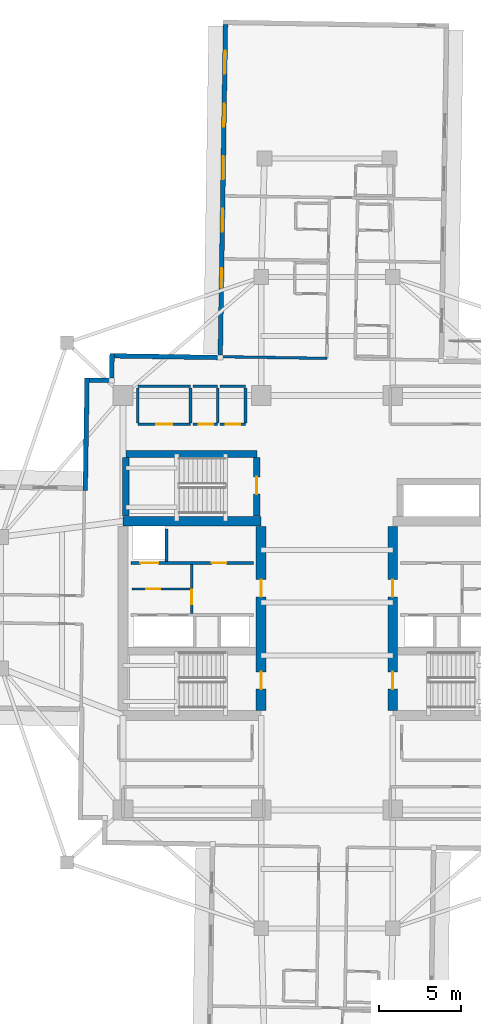
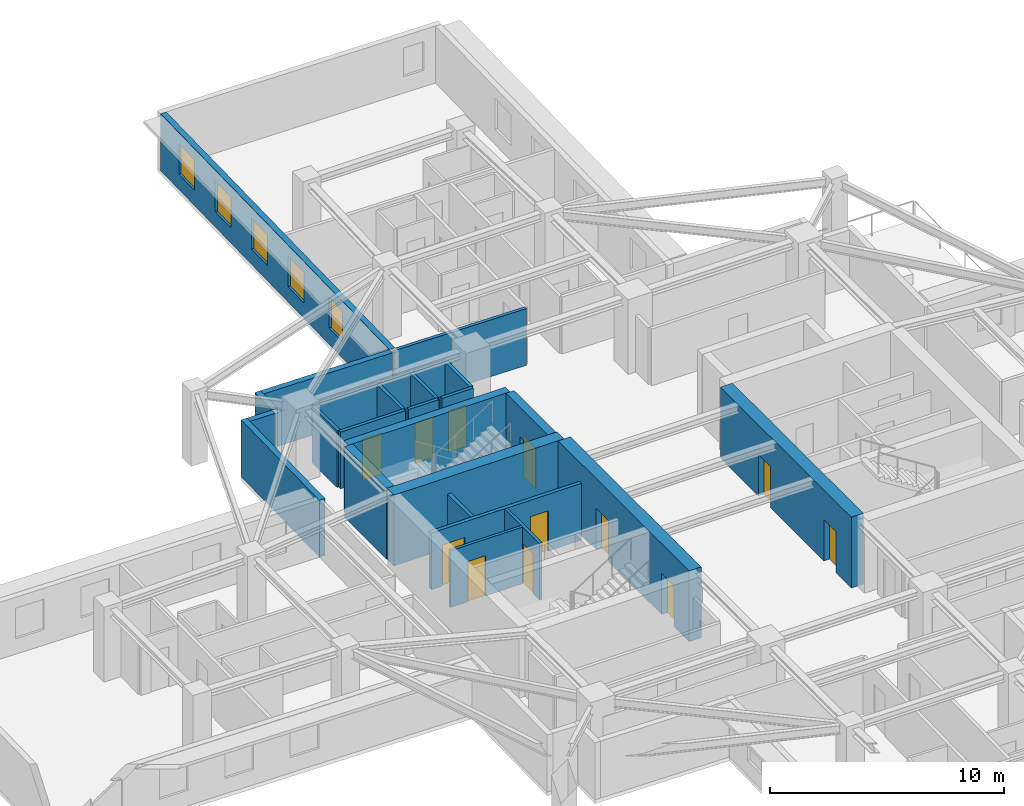
# One storey, part 5 of 13: 26 walls, 12 doors, 5 windows, 17 openings.
"""IFC4 building model written with IfcOpenShell, lengths in metres."""

from ifc_helpers import new_model, si_unit, direction, frame, frame_2d, origin, place, context, subcontext, project, spatial, rectangle, extrude, material, layer, layer_set, type_object, element, fill, save


model = new_model("IFC4")

# Units and contexts
model_context = context("Model", 3, precision=1e-05, world=origin(), true_north=direction((0.0, 1.0)))
body_context = subcontext(model_context, "Body", "Model", "MODEL_VIEW")
ifc_project = project(units=[si_unit("LENGTHUNIT", "METRE"), si_unit("AREAUNIT", "SQUARE_METRE"), si_unit("VOLUMEUNIT", "CUBIC_METRE"), si_unit("PLANEANGLEUNIT", "RADIAN"), si_unit("MASSUNIT", "GRAM", prefix="KILO")], contexts=[model_context])

# Site, building, storey
site_placement = place(None, origin())
site = spatial("IfcSite", under=ifc_project, at=site_placement, CompositionType="ELEMENT")
building_placement = place(site_placement, origin())
building = spatial("IfcBuilding", under=site, at=building_placement, Name="Qingluan Cross Belvedere", CompositionType="ELEMENT")
storey_placement = place(building_placement, frame((0.0, 0.0, 180.0)))
storey = spatial("IfcBuildingStorey", under=building, at=storey_placement, Name="L45", CompositionType="ELEMENT", Elevation=180.0)

# Walls
ifc_material_1 = material(Name="Concrete C50", Category="concrete")
ifc_layer_1 = layer(ifc_material_1, 0.449951171875, Name="CoreShearWall_450")
ifc_layer_set_1 = layer_set([ifc_layer_1], Name="Concrete C50")
wall_type_1 = type_object("IfcWallType", Name="CoreShearWall_450", PredefinedType="SHEAR", material=ifc_layer_set_1)
wall_1_placement = place(storey_placement, frame((-12.219970703125, 9.0400390625, 0.0), z_axis=(0.0, 0.0, 1.0), x_axis=(1.0, 0.0, 0.0)))
element("IfcWall", 1, at=wall_1_placement, inside=storey, type_object=wall_type_1, Name="Stair ST3 structural wall N L45", PredefinedType="SHEAR", context=body_context, shape_type="SweptSolid", body=[
    extrude(rectangle(XDim=7.9599609375, YDim=0.39990234375, at=frame_2d((3.97998046875, 0.0))), origin(), (0.0, 0.0, 1.0), 3.699951171875),
])
wall_2_placement = place(storey_placement, frame((-12.219970703125, 5.2548828125, 0.0), z_axis=(0.0, 0.0, 1.0), x_axis=(0.0, 1.0, 0.0)))
element("IfcWall", 2, at=wall_2_placement, inside=storey, type_object=wall_type_1, Name="Stair ST3 structural wall W L45", PredefinedType="SHEAR", context=body_context, shape_type="SweptSolid", body=[
    extrude(rectangle(XDim=3.580078125, YDim=0.39990234375, at=frame_2d((1.7900390625, 0.0))), origin(), (0.0, 0.0, 1.0), 3.699951171875),
])

# Wall, opening, door
wall_3_placement = place(storey_placement, frame((-4.260009765625, 5.2548828125, 0.0), z_axis=(0.0, 0.0, 1.0), x_axis=(0.0, 1.0, 0.0)))
wall_3 = element("IfcWall", 3, at=wall_3_placement, inside=storey, type_object=wall_type_1, Name="Stair ST3 structural wall E L45", PredefinedType="SHEAR", context=body_context, shape_type="SweptSolid", body=[
    extrude(rectangle(XDim=3.580078125, YDim=0.39990234375, at=frame_2d((1.7900390625, 0.0))), origin(), (0.0, 0.0, 1.0), 3.699951171875),
])
opening_1_placement = place(wall_3_placement, frame((1.344970703125, 0.0, 0.0)))
opening_1 = element("IfcOpeningElement", 4, at=opening_1_placement, cuts=wall_3, Name="Opening FD-B11", PredefinedType="OPENING", context=body_context, shape_type="SweptSolid", body=[
    extrude(rectangle(XDim=1.050048828125, YDim=2.14990234375, at=frame_2d((0.52490234375, 1.074951171875))), frame((0.0, 0.2099609375, 0.0), z_axis=(0.0, -1.0, 0.0), x_axis=(1.0, 0.0, 0.0)), (0.0, 0.0, 1.0), 0.419921875),
])
ifc_material_2 = material(Name="Steel Class B smoke-seal fire door", Category="steel")
door_type_1 = type_object("IfcDoorType", Name="StairLobbyFireDoor_FDB", OperationType="NOTDEFINED", PredefinedType="DOOR", material=ifc_material_2)
door_1_placement = place(opening_1_placement, origin())
door_1 = element("IfcDoor", 5, at=door_1_placement, inside=storey, type_object=door_type_1, Name="Smoke-proof stair ST3 fire door L45", OperationType="SINGLE_SWING_LEFT", OverallHeight=2.14990234375, OverallWidth=1.050048828125, PredefinedType="DOOR", context=body_context, shape_type="SweptSolid", body=[
    extrude(rectangle(XDim=1.050048828125, YDim=2.14990234375, at=frame_2d((0.52490234375, 1.074951171875))), frame((0.0, 0.02490234375, 0.0), z_axis=(0.0, -1.0, 0.0), x_axis=(1.0, 0.0, 0.0)), (0.0, 0.0, 1.0), 0.050048828125),
])
fill(opening_1, door_1)

# Wall
ifc_material_3 = material(Name="Concrete C60", Category="concrete")
ifc_layer_2 = layer(ifc_material_3, 0.60009765625, Name="CoreShearWall_600")
ifc_layer_set_2 = layer_set([ifc_layer_2], Name="Concrete C60")
wall_type_2 = type_object("IfcWallType", Name="CoreShearWall_600", PredefinedType="SHEAR", material=ifc_layer_set_2)
wall_4_placement = place(storey_placement, frame((-12.39990234375, 4.949951171875, 0.0), z_axis=(0.0, 0.0, 1.0), x_axis=(1.0, 0.0, 0.0)))
element("IfcWall", 6, at=wall_4_placement, inside=storey, type_object=wall_type_2, Name="Split core W shear wall L45-N", PredefinedType="SHEAR", context=body_context, shape_type="SweptSolid", body=[
    extrude(rectangle(XDim=8.39990234375, YDim=0.60009765625, at=frame_2d((4.199951171875, 0.0))), origin(), (0.0, 0.0, 1.0), 3.699951171875),
])

# Wall, openings, doors
wall_5_placement = place(storey_placement, frame((-4.0, -6.544921875, 0.0), z_axis=(0.0, 0.0, 1.0), x_axis=(0.0, 1.0, 0.0)))
wall_5 = element("IfcWall", 7, at=wall_5_placement, inside=storey, type_object=wall_type_2, Name="Split core W shear wall L45-E", PredefinedType="SHEAR", context=body_context, shape_type="SweptSolid", body=[
    extrude(rectangle(XDim=11.18994140625, YDim=0.60009765625, at=frame_2d((5.594970703125, 0.0))), origin(), (0.0, 0.0, 1.0), 3.699951171875),
])
opening_2_placement = place(wall_5_placement, frame((1.294921875, 0.0, 0.0)))
opening_2 = element("IfcOpeningElement", 8, at=opening_2_placement, cuts=wall_5, Name="Opening FD-B11", PredefinedType="OPENING", context=body_context, shape_type="SweptSolid", body=[
    extrude(rectangle(XDim=1.050048828125, YDim=2.14990234375, at=frame_2d((0.52490234375, 1.074951171875))), frame((0.0, 0.31005859375, 0.0), z_axis=(0.0, -1.0, 0.0), x_axis=(1.0, 0.0, 0.0)), (0.0, 0.0, 1.0), 0.6201171875),
])
opening_3_placement = place(wall_5_placement, frame((6.89501953125, 0.0, 0.0)))
opening_3 = element("IfcOpeningElement", 9, at=opening_3_placement, cuts=wall_5, Name="Opening FD-B11", PredefinedType="OPENING", context=body_context, shape_type="SweptSolid", body=[
    extrude(rectangle(XDim=1.050048828125, YDim=2.14990234375, at=frame_2d((0.52490234375, 1.074951171875))), frame((0.0, 0.31005859375, 0.0), z_axis=(0.0, -1.0, 0.0), x_axis=(1.0, 0.0, 0.0)), (0.0, 0.0, 1.0), 0.6201171875),
])
door_2_placement = place(opening_2_placement, origin())
door_2 = element("IfcDoor", 10, at=door_2_placement, inside=storey, type_object=door_type_1, Name="Smoke-proof stair ST1 fire door L45", OperationType="SINGLE_SWING_LEFT", OverallHeight=2.14990234375, OverallWidth=1.050048828125, PredefinedType="DOOR", context=body_context, shape_type="SweptSolid", body=[
    extrude(rectangle(XDim=1.050048828125, YDim=2.14990234375, at=frame_2d((0.52490234375, 1.074951171875))), frame((0.0, 0.02490234375, 0.0), z_axis=(0.0, -1.0, 0.0), x_axis=(1.0, 0.0, 0.0)), (0.0, 0.0, 1.0), 0.050048828125),
])
fill(opening_2, door_2)
door_3_placement = place(opening_3_placement, origin())
door_3 = element("IfcDoor", 11, at=door_3_placement, inside=storey, type_object=door_type_1, Name="Firefighting lobby West fire door L45", OperationType="SINGLE_SWING_LEFT", OverallHeight=2.14990234375, OverallWidth=1.050048828125, PredefinedType="DOOR", context=body_context, shape_type="SweptSolid", body=[
    extrude(rectangle(XDim=1.050048828125, YDim=2.14990234375, at=frame_2d((0.52490234375, 1.074951171875))), frame((0.0, 0.02490234375, 0.0), z_axis=(0.0, -1.0, 0.0), x_axis=(1.0, 0.0, 0.0)), (0.0, 0.0, 1.0), 0.050048828125),
])
fill(opening_3, door_3)

wall_6_placement = place(storey_placement, frame((4.0, -6.544921875, 0.0), z_axis=(0.0, 0.0, 1.0), x_axis=(0.0, 1.0, 0.0)))
wall_6 = element("IfcWall", 12, at=wall_6_placement, inside=storey, type_object=wall_type_2, Name="Split core E shear wall L45-W", PredefinedType="SHEAR", context=body_context, shape_type="SweptSolid", body=[
    extrude(rectangle(XDim=11.18994140625, YDim=0.60009765625, at=frame_2d((5.594970703125, 0.0))), origin(), (0.0, 0.0, 1.0), 3.699951171875),
])
opening_4_placement = place(wall_6_placement, frame((1.294921875, 0.0, 0.0)))
opening_4 = element("IfcOpeningElement", 13, at=opening_4_placement, cuts=wall_6, Name="Opening FD-B11", PredefinedType="OPENING", context=body_context, shape_type="SweptSolid", body=[
    extrude(rectangle(XDim=1.050048828125, YDim=2.14990234375, at=frame_2d((0.52490234375, 1.074951171875))), frame((0.0, 0.31005859375, 0.0), z_axis=(0.0, -1.0, 0.0), x_axis=(1.0, 0.0, 0.0)), (0.0, 0.0, 1.0), 0.6201171875),
])
opening_5_placement = place(wall_6_placement, frame((6.89501953125, 0.0, 0.0)))
opening_5 = element("IfcOpeningElement", 14, at=opening_5_placement, cuts=wall_6, Name="Opening FD-B11", PredefinedType="OPENING", context=body_context, shape_type="SweptSolid", body=[
    extrude(rectangle(XDim=1.050048828125, YDim=2.14990234375, at=frame_2d((0.52490234375, 1.074951171875))), frame((0.0, 0.31005859375, 0.0), z_axis=(0.0, -1.0, 0.0), x_axis=(1.0, 0.0, 0.0)), (0.0, 0.0, 1.0), 0.6201171875),
])
door_4_placement = place(opening_4_placement, origin())
door_4 = element("IfcDoor", 15, at=door_4_placement, inside=storey, type_object=door_type_1, Name="Smoke-proof stair ST2 fire door L45", OperationType="SINGLE_SWING_RIGHT", OverallHeight=2.14990234375, OverallWidth=1.050048828125, PredefinedType="DOOR", context=body_context, shape_type="SweptSolid", body=[
    extrude(rectangle(XDim=1.050048828125, YDim=2.14990234375, at=frame_2d((0.52490234375, 1.074951171875))), frame((0.0, 0.02490234375, 0.0), z_axis=(0.0, -1.0, 0.0), x_axis=(1.0, 0.0, 0.0)), (0.0, 0.0, 1.0), 0.050048828125),
])
fill(opening_4, door_4)
door_5_placement = place(opening_5_placement, origin())
door_5 = element("IfcDoor", 16, at=door_5_placement, inside=storey, type_object=door_type_1, Name="Firefighting lobby East fire door L45", OperationType="SINGLE_SWING_RIGHT", OverallHeight=2.14990234375, OverallWidth=1.050048828125, PredefinedType="DOOR", context=body_context, shape_type="SweptSolid", body=[
    extrude(rectangle(XDim=1.050048828125, YDim=2.14990234375, at=frame_2d((0.52490234375, 1.074951171875))), frame((0.0, 0.02490234375, 0.0), z_axis=(0.0, -1.0, 0.0), x_axis=(1.0, 0.0, 0.0)), (0.0, 0.0, 1.0), 0.050048828125),
])
fill(opening_5, door_5)

# Wall, opening, door
ifc_material_4 = material(Name="Gypsum plasterboard on steel stud acoustic partition", Category="steel")
ifc_layer_3 = layer(ifc_material_4, 0.159912109375, Name="CorridorPartition_160")
ifc_layer_set_3 = layer_set([ifc_layer_3], Name="Gypsum plasterboard on steel stud acoustic partition")
wall_type_3 = type_object("IfcWallType", Name="CorridorPartition_160", PredefinedType="PARTITIONING", material=ifc_layer_set_3)
wall_7_placement = place(storey_placement, frame((-11.85009765625, 0.830078125, 0.0), z_axis=(0.0, 0.0, 1.0), x_axis=(1.0, 0.0, 0.0)))
wall_7 = element("IfcWall", 17, at=wall_7_placement, inside=storey, type_object=wall_type_3, Name="Partition L45:w", PredefinedType="PARTITIONING", context=body_context, shape_type="SweptSolid", body=[
    extrude(rectangle(XDim=3.552001953125, YDim=0.139892578125, at=frame_2d((1.77587890625, 0.0))), origin(), (0.0, 0.0, 1.0), 2.9599609375),
])
opening_6_placement = place(wall_7_placement, frame((0.85009765625, 0.0, 0.0)))
opening_6 = element("IfcOpeningElement", 18, at=opening_6_placement, cuts=wall_7, Name="Opening FD-B10", PredefinedType="OPENING", context=body_context, shape_type="SweptSolid", body=[
    extrude(rectangle(XDim=0.8798828125, YDim=2.10009765625, at=frame_2d((0.43994140625, 1.050048828125))), frame((0.0, 0.079833984375, 0.0), z_axis=(0.0, -1.0, 0.0), x_axis=(1.0, 0.0, 0.0)), (0.0, 0.0, 1.0), 0.159912109375),
])
ifc_material_5 = material(Name="Steel Class B service fire door", Category="steel")
door_type_2 = type_object("IfcDoorType", Name="RiserServiceFireDoor_FDB", OperationType="NOTDEFINED", PredefinedType="DOOR", material=ifc_material_5)
door_6_placement = place(opening_6_placement, origin())
door_6 = element("IfcDoor", 19, at=door_6_placement, inside=storey, type_object=door_type_2, Name="Service closet inner door L45", OperationType="SINGLE_SWING_RIGHT", OverallHeight=2.10009765625, OverallWidth=0.8798828125, PredefinedType="DOOR", context=body_context, shape_type="SweptSolid", body=[
    extrude(rectangle(XDim=0.8798828125, YDim=2.10009765625, at=frame_2d((0.43994140625, 1.050048828125))), frame((0.0, 0.02490234375, 0.0), z_axis=(0.0, -1.0, 0.0), x_axis=(1.0, 0.0, 0.0)), (0.0, 0.0, 1.0), 0.050048828125),
])
fill(opening_6, door_6)

wall_8_placement = place(storey_placement, frame((-11.5, 10.85009765625, 0.0), z_axis=(0.0, 0.0, 1.0), x_axis=(1.0, 0.0, 0.0)))
wall_8 = element("IfcWall", 20, at=wall_8_placement, inside=storey, type_object=wall_type_3, Name="Partition L45:q_nw_occ:S", PredefinedType="PARTITIONING", context=body_context, shape_type="SweptSolid", body=[
    extrude(rectangle(XDim=3.199951171875, YDim=0.159912109375, at=frame_2d((1.60009765625, 0.0))), origin(), (0.0, 0.0, 1.0), 2.9599609375),
])
opening_7_placement = place(wall_8_placement, frame((1.1201171875, 0.0, 0.0)))
opening_7 = element("IfcOpeningElement", 21, at=opening_7_placement, cuts=wall_8, Name="Opening GD-10", PredefinedType="OPENING", context=body_context, shape_type="SweptSolid", body=[
    extrude(rectangle(XDim=0.9599609375, YDim=2.14990234375, at=frame_2d((0.47998046875, 1.074951171875))), frame((0.0, 0.08984375, 0.0), z_axis=(0.0, -1.0, 0.0), x_axis=(1.0, 0.0, 0.0)), (0.0, 0.0, 1.0), 0.179931640625),
])
ifc_material_6 = material(Name="Timber oak fire-rated acoustic guestroom door", Category="wood")
door_type_3 = type_object("IfcDoorType", Name="GuestEntryDoor_FD60", OperationType="NOTDEFINED", PredefinedType="DOOR", material=ifc_material_6)
door_7_placement = place(opening_7_placement, origin())
door_7 = element("IfcDoor", 22, at=door_7_placement, inside=storey, type_object=door_type_3, Name="Northwest corner reading salon L45 door", OperationType="SINGLE_SWING_RIGHT", OverallHeight=2.14990234375, OverallWidth=0.9599609375, PredefinedType="DOOR", context=body_context, shape_type="SweptSolid", body=[
    extrude(rectangle(XDim=0.9599609375, YDim=2.14990234375, at=frame_2d((0.47998046875, 1.074951171875))), frame((0.0, 0.02490234375, 0.0), z_axis=(0.0, -1.0, 0.0), x_axis=(1.0, 0.0, 0.0)), (0.0, 0.0, 1.0), 0.050048828125),
])
fill(opening_7, door_7)

# Walls
wall_9_placement = place(storey_placement, frame((-11.5, 13.14990234375, 0.0), z_axis=(0.0, 0.0, 1.0), x_axis=(1.0, 0.0, 0.0)))
element("IfcWall", 23, at=wall_9_placement, inside=storey, type_object=wall_type_3, Name="Partition L45:q_nw_occ:N", PredefinedType="PARTITIONING", context=body_context, shape_type="SweptSolid", body=[
    extrude(rectangle(XDim=3.199951171875, YDim=0.159912109375, at=frame_2d((1.60009765625, 0.0))), origin(), (0.0, 0.0, 1.0), 2.9599609375),
])
for number, where, z_axis, x_axis, name in (
    (24, (-11.5, 10.93505859375, 0.0), (0.0, 0.0, 1.0), (0.0, 1.0, 0.0), "Partition L45:q_nw_occ:W"),
    (25, (-8.300048828125, 10.93505859375, 0.0), (0.0, 0.0, 1.0), (0.0, 1.0, 0.0), "Partition L45:q_nw_occ:E"),
):
    element("IfcWall", number, at=place(storey_placement, frame(where, z_axis=z_axis, x_axis=x_axis)), inside=storey, type_object=wall_type_3, Name=name, PredefinedType="PARTITIONING", context=body_context, shape_type="SweptSolid", body=[
        extrude(rectangle(XDim=2.1298828125, YDim=0.159912109375, at=frame_2d((1.06494140625, 0.0))), origin(), (0.0, 0.0, 1.0), 2.9599609375),
    ])

# Wall, opening, door
wall_10_placement = place(storey_placement, frame((-8.139892578125, 10.85009765625, 0.0), z_axis=(0.0, 0.0, 1.0), x_axis=(1.0, 0.0, 0.0)))
wall_10 = element("IfcWall", 26, at=wall_10_placement, inside=storey, type_object=wall_type_3, Name="Partition L45:hk_linen:S", PredefinedType="PARTITIONING", context=body_context, shape_type="SweptSolid", body=[
    extrude(rectangle(XDim=1.489990234375, YDim=0.159912109375, at=frame_2d((0.7451171875, 0.0))), origin(), (0.0, 0.0, 1.0), 2.9599609375),
])
opening_8_placement = place(wall_10_placement, frame((0.35009765625, 0.0, 0.0)))
opening_8 = element("IfcOpeningElement", 27, at=opening_8_placement, cuts=wall_10, Name="Opening FD-B10", PredefinedType="OPENING", context=body_context, shape_type="SweptSolid", body=[
    extrude(rectangle(XDim=0.8798828125, YDim=2.10009765625, at=frame_2d((0.43994140625, 1.050048828125))), frame((0.0, 0.08984375, 0.0), z_axis=(0.0, -1.0, 0.0), x_axis=(1.0, 0.0, 0.0)), (0.0, 0.0, 1.0), 0.179931640625),
])
door_8_placement = place(opening_8_placement, origin())
door_8 = element("IfcDoor", 28, at=door_8_placement, inside=storey, type_object=door_type_2, Name="Housekeeping and linen store L45 door", OperationType="SINGLE_SWING_LEFT", OverallHeight=2.10009765625, OverallWidth=0.8798828125, PredefinedType="DOOR", context=body_context, shape_type="SweptSolid", body=[
    extrude(rectangle(XDim=0.8798828125, YDim=2.10009765625, at=frame_2d((0.43994140625, 1.050048828125))), frame((0.0, 0.02490234375, 0.0), z_axis=(0.0, -1.0, 0.0), x_axis=(1.0, 0.0, 0.0)), (0.0, 0.0, 1.0), 0.050048828125),
])
fill(opening_8, door_8)

# Walls
wall_11_placement = place(storey_placement, frame((-8.139892578125, 13.14990234375, 0.0), z_axis=(0.0, 0.0, 1.0), x_axis=(1.0, 0.0, 0.0)))
element("IfcWall", 29, at=wall_11_placement, inside=storey, type_object=wall_type_3, Name="Partition L45:hk_linen:N", PredefinedType="PARTITIONING", context=body_context, shape_type="SweptSolid", body=[
    extrude(rectangle(XDim=1.489990234375, YDim=0.159912109375, at=frame_2d((0.7451171875, 0.0))), origin(), (0.0, 0.0, 1.0), 2.9599609375),
])
wall_12_placement = place(storey_placement, frame((-6.64990234375, 10.93505859375, 0.0), z_axis=(0.0, 0.0, 1.0), x_axis=(0.0, 1.0, 0.0)))
element("IfcWall", 30, at=wall_12_placement, inside=storey, type_object=wall_type_3, Name="Partition L45:hk_linen:E", PredefinedType="PARTITIONING", context=body_context, shape_type="SweptSolid", body=[
    extrude(rectangle(XDim=2.1298828125, YDim=0.159912109375, at=frame_2d((1.06494140625, 0.0))), origin(), (0.0, 0.0, 1.0), 2.9599609375),
])

# Wall, opening, door
wall_13_placement = place(storey_placement, frame((-6.489990234375, 10.85009765625, 0.0), z_axis=(0.0, 0.0, 1.0), x_axis=(1.0, 0.0, 0.0)))
wall_13 = element("IfcWall", 31, at=wall_13_placement, inside=storey, type_object=wall_type_3, Name="Partition L45:floor_acc_wc:S", PredefinedType="PARTITIONING", context=body_context, shape_type="SweptSolid", body=[
    extrude(rectangle(XDim=1.5400390625, YDim=0.159912109375, at=frame_2d((0.77001953125, 0.0))), origin(), (0.0, 0.0, 1.0), 2.9599609375),
])
opening_9_placement = place(wall_13_placement, frame((0.35009765625, 0.0, 0.0)))
opening_9 = element("IfcOpeningElement", 32, at=opening_9_placement, cuts=wall_13, Name="Opening BD-08", PredefinedType="OPENING", context=body_context, shape_type="SweptSolid", body=[
    extrude(rectangle(XDim=0.8798828125, YDim=2.14990234375, at=frame_2d((0.43994140625, 1.074951171875))), frame((0.0, 0.08984375, 0.0), z_axis=(0.0, -1.0, 0.0), x_axis=(1.0, 0.0, 0.0)), (0.0, 0.0, 1.0), 0.179931640625),
])
ifc_material_7 = material(Name="Moisture-sealed timber accessible WC door", Category="wood")
door_type_4 = type_object("IfcDoorType", Name="AccessibleWCDoor_880", OperationType="NOTDEFINED", PredefinedType="DOOR", material=ifc_material_7)
door_9_placement = place(opening_9_placement, origin())
door_9 = element("IfcDoor", 33, at=door_9_placement, inside=storey, type_object=door_type_4, Name="Accessible guest washroom L45 door", OperationType="SINGLE_SWING_RIGHT", OverallHeight=2.14990234375, OverallWidth=0.8798828125, PredefinedType="DOOR", context=body_context, shape_type="SweptSolid", body=[
    extrude(rectangle(XDim=0.8798828125, YDim=2.14990234375, at=frame_2d((0.43994140625, 1.074951171875))), frame((0.0, 0.02490234375, 0.0), z_axis=(0.0, -1.0, 0.0), x_axis=(1.0, 0.0, 0.0)), (0.0, 0.0, 1.0), 0.050048828125),
])
fill(opening_9, door_9)

# Walls
wall_14_placement = place(storey_placement, frame((-6.489990234375, 13.14990234375, 0.0), z_axis=(0.0, 0.0, 1.0), x_axis=(1.0, 0.0, 0.0)))
element("IfcWall", 34, at=wall_14_placement, inside=storey, type_object=wall_type_3, Name="Partition L45:floor_acc_wc:N", PredefinedType="PARTITIONING", context=body_context, shape_type="SweptSolid", body=[
    extrude(rectangle(XDim=1.5400390625, YDim=0.159912109375, at=frame_2d((0.77001953125, 0.0))), origin(), (0.0, 0.0, 1.0), 2.9599609375),
])
wall_15_placement = place(storey_placement, frame((-4.949951171875, 10.93505859375, 0.0), z_axis=(0.0, 0.0, 1.0), x_axis=(0.0, 1.0, 0.0)))
element("IfcWall", 35, at=wall_15_placement, inside=storey, type_object=wall_type_3, Name="Partition L45:floor_acc_wc:E", PredefinedType="PARTITIONING", context=body_context, shape_type="SweptSolid", body=[
    extrude(rectangle(XDim=2.1298828125, YDim=0.159912109375, at=frame_2d((1.06494140625, 0.0))), origin(), (0.0, 0.0, 1.0), 2.9599609375),
])
wall_16_placement = place(storey_placement, frame((-0.006591796875, 14.851806640625, 0.0), z_axis=(0.0, 0.0, 1.0), x_axis=(-0.999876577995, 0.015710785373, 0.0)))
element("IfcWall", 36, at=wall_16_placement, inside=storey, type_object=wall_type_3, Name="Partition L45:N:s1", PredefinedType="PARTITIONING", context=body_context, shape_type="SweptSolid", body=[
    extrude(rectangle(XDim=6.47998046875, YDim=0.159912109375, at=frame_2d((3.239990234375, 0.0))), origin(), (0.0, 0.0, 1.0), 2.9599609375),
])

# Wall, openings, windows
ifc_material_8 = material(Name="Precast concrete C45", Category="concrete")
ifc_layer_4 = layer(ifc_material_8, 0.280029296875, Name="PrecastFacadeWall_280")
ifc_layer_set_4 = layer_set([ifc_layer_4], Name="Precast concrete C45")
wall_type_4 = type_object("IfcWallType", Name="PrecastFacadeWall_280", PredefinedType="STANDARD", material=ifc_layer_set_4)
wall_17_placement = place(storey_placement, frame((-6.168701171875, 35.14111328125, 0.0), z_axis=(0.0, 0.0, 1.0), x_axis=(-0.01571739401, -0.999876474133, 0.0)))
wall_17 = element("IfcWall", 37, at=wall_17_placement, inside=storey, type_object=wall_type_4, Name="Facade wall L45-NB", PredefinedType="STANDARD", context=body_context, shape_type="SweptSolid", body=[
    extrude(rectangle(XDim=20.099853515625, YDim=0.280029296875, at=frame_2d((10.0498046875, 0.0))), origin(), (0.0, 0.0, 1.0), 2.969970703125),
])
opening_10_placement = place(wall_17_placement, frame((1.60009765625, 0.0, 0.800048828125)))
opening_10 = element("IfcOpeningElement", 38, at=opening_10_placement, cuts=wall_17, Name="Opening W-01", PredefinedType="OPENING", context=body_context, shape_type="SweptSolid", body=[
    extrude(rectangle(XDim=1.39990234375, YDim=1.60009765625, at=frame_2d((0.699951171875, 0.800048828125))), frame((0.0, 0.14990234375, 0.0), z_axis=(0.0, -1.0, 0.0), x_axis=(1.0, 0.0, 0.0)), (0.0, 0.0, 1.0), 0.300048828125),
])
opening_11_placement = place(wall_17_placement, frame((4.800048828125, 0.0, 0.800048828125)))
opening_11 = element("IfcOpeningElement", 39, at=opening_11_placement, cuts=wall_17, Name="Opening W-01", PredefinedType="OPENING", context=body_context, shape_type="SweptSolid", body=[
    extrude(rectangle(XDim=1.39990234375, YDim=1.60009765625, at=frame_2d((0.699951171875, 0.800048828125))), frame((0.0, 0.14990234375, 0.0), z_axis=(0.0, -1.0, 0.0), x_axis=(1.0, 0.0, 0.0)), (0.0, 0.0, 1.0), 0.300048828125),
])
opening_12_placement = place(wall_17_placement, frame((8.0, 0.0, 0.800048828125)))
opening_12 = element("IfcOpeningElement", 40, at=opening_12_placement, cuts=wall_17, Name="Opening W-01", PredefinedType="OPENING", context=body_context, shape_type="SweptSolid", body=[
    extrude(rectangle(XDim=1.39990234375, YDim=1.60009765625, at=frame_2d((0.699951171875, 0.800048828125))), frame((0.0, 0.14990234375, 0.0), z_axis=(0.0, -1.0, 0.0), x_axis=(1.0, 0.0, 0.0)), (0.0, 0.0, 1.0), 0.300048828125),
])
opening_13_placement = place(wall_17_placement, frame((11.199951171875, 0.0, 0.800048828125)))
opening_13 = element("IfcOpeningElement", 41, at=opening_13_placement, cuts=wall_17, Name="Opening W-01", PredefinedType="OPENING", context=body_context, shape_type="SweptSolid", body=[
    extrude(rectangle(XDim=1.39990234375, YDim=1.60009765625, at=frame_2d((0.699951171875, 0.800048828125))), frame((0.0, 0.14990234375, 0.0), z_axis=(0.0, -1.0, 0.0), x_axis=(1.0, 0.0, 0.0)), (0.0, 0.0, 1.0), 0.300048828125),
])
opening_14_placement = place(wall_17_placement, frame((14.799072265625, 0.0, 0.85009765625)))
opening_14 = element("IfcOpeningElement", 42, at=opening_14_placement, cuts=wall_17, Name="Opening W-02", PredefinedType="OPENING", context=body_context, shape_type="SweptSolid", body=[
    extrude(rectangle(XDim=1.199951171875, YDim=1.60009765625, at=frame_2d((0.60009765625, 0.800048828125))), frame((0.0, 0.14990234375, 0.0), z_axis=(0.0, -1.0, 0.0), x_axis=(1.0, 0.0, 0.0)), (0.0, 0.0, 1.0), 0.300048828125),
])
ifc_material_9 = material(Name="Thermally broken triple Low-E glass in aluminium frame", Category="aluminium")
window_type_1 = type_object("IfcWindowType", Name="TriRibbonWin_1200x1600", PartitioningType="SINGLE_PANEL", PredefinedType="WINDOW", material=ifc_material_9)
window_1_placement = place(opening_14_placement, origin())
window_1 = element("IfcWindow", 43, at=window_1_placement, inside=storey, type_object=window_type_1, Name="Corner hotel suite 4507 daylight window", OverallHeight=1.60009765625, OverallWidth=1.199951171875, PartitioningType="SINGLE_PANEL", PredefinedType="WINDOW", context=body_context, shape_type="SweptSolid", body=[
    extrude(rectangle(XDim=1.199951171875, YDim=1.60009765625, at=frame_2d((0.60009765625, 0.800048828125))), frame((0.0, 0.030029296875, 0.0), z_axis=(0.0, -1.0, 0.0), x_axis=(1.0, 0.0, 0.0)), (0.0, 0.0, 1.0), 0.06005859375),
])
fill(opening_14, window_1)
ifc_material_10 = material(Name="Thermally broken triple Low-E glass in aluminium frame", Category="aluminium")
window_type_2 = type_object("IfcWindowType", Name="TriRibbonWin_1400x1600", PartitioningType="SINGLE_PANEL", PredefinedType="WINDOW", material=ifc_material_10)
window_2_placement = place(opening_10_placement, origin())
window_2 = element("IfcWindow", 44, at=window_2_placement, inside=storey, type_object=window_type_2, Name="Ribbon window L45-NB-1", OverallHeight=1.60009765625, OverallWidth=1.39990234375, PartitioningType="SINGLE_PANEL", PredefinedType="WINDOW", context=body_context, shape_type="SweptSolid", body=[
    extrude(rectangle(XDim=1.39990234375, YDim=1.60009765625, at=frame_2d((0.699951171875, 0.800048828125))), frame((0.0, 0.030029296875, 0.0), z_axis=(0.0, -1.0, 0.0), x_axis=(1.0, 0.0, 0.0)), (0.0, 0.0, 1.0), 0.06005859375),
])
fill(opening_10, window_2)
window_3_placement = place(opening_11_placement, origin())
window_3 = element("IfcWindow", 45, at=window_3_placement, inside=storey, type_object=window_type_2, Name="Ribbon window L45-NB-2", OverallHeight=1.60009765625, OverallWidth=1.39990234375, PartitioningType="SINGLE_PANEL", PredefinedType="WINDOW", context=body_context, shape_type="SweptSolid", body=[
    extrude(rectangle(XDim=1.39990234375, YDim=1.60009765625, at=frame_2d((0.699951171875, 0.800048828125))), frame((0.0, 0.030029296875, 0.0), z_axis=(0.0, -1.0, 0.0), x_axis=(1.0, 0.0, 0.0)), (0.0, 0.0, 1.0), 0.06005859375),
])
fill(opening_11, window_3)
window_4_placement = place(opening_12_placement, origin())
window_4 = element("IfcWindow", 46, at=window_4_placement, inside=storey, type_object=window_type_2, Name="Ribbon window L45-NB-3", OverallHeight=1.60009765625, OverallWidth=1.39990234375, PartitioningType="SINGLE_PANEL", PredefinedType="WINDOW", context=body_context, shape_type="SweptSolid", body=[
    extrude(rectangle(XDim=1.39990234375, YDim=1.60009765625, at=frame_2d((0.699951171875, 0.800048828125))), frame((0.0, 0.030029296875, 0.0), z_axis=(0.0, -1.0, 0.0), x_axis=(1.0, 0.0, 0.0)), (0.0, 0.0, 1.0), 0.06005859375),
])
fill(opening_12, window_4)
window_5_placement = place(opening_13_placement, origin())
window_5 = element("IfcWindow", 47, at=window_5_placement, inside=storey, type_object=window_type_2, Name="Ribbon window L45-NB-4", OverallHeight=1.60009765625, OverallWidth=1.39990234375, PartitioningType="SINGLE_PANEL", PredefinedType="WINDOW", context=body_context, shape_type="SweptSolid", body=[
    extrude(rectangle(XDim=1.39990234375, YDim=1.60009765625, at=frame_2d((0.699951171875, 0.800048828125))), frame((0.0, 0.030029296875, 0.0), z_axis=(0.0, -1.0, 0.0), x_axis=(1.0, 0.0, 0.0)), (0.0, 0.0, 1.0), 0.06005859375),
])
fill(opening_13, window_5)

# Walls
wall_18_placement = place(storey_placement, frame((-14.69482421875, 6.811767578125, 0.0), z_axis=(0.0, 0.0, 1.0), x_axis=(0.015694809807, 0.999876828887, 0.0)))
element("IfcWall", 48, at=wall_18_placement, inside=storey, type_object=wall_type_4, Name="Corner wall L45-NW1", PredefinedType="STANDARD", context=body_context, shape_type="SweptSolid", body=[
    extrude(rectangle(XDim=6.85986328125, YDim=0.280029296875, at=frame_2d((3.429931640625, 0.0))), origin(), (0.0, 0.0, 1.0), 2.969970703125),
])
wall_19_placement = place(storey_placement, frame((-14.44921875, 13.528564453125, 0.0), z_axis=(0.0, 0.0, 1.0), x_axis=(0.999878147354, -0.015610587569, 0.0)))
element("IfcWall", 49, at=wall_19_placement, inside=storey, type_object=wall_type_4, Name="Corner wall L45-NW2", PredefinedType="STANDARD", context=body_context, shape_type="SweptSolid", body=[
    extrude(rectangle(XDim=1.219970703125, YDim=0.280029296875, at=frame_2d((0.60986328125, 0.0))), origin(), (0.0, 0.0, 1.0), 2.969970703125),
])
wall_20_placement = place(storey_placement, frame((-13.08740234375, 13.647216796875, 0.0), z_axis=(0.0, 0.0, 1.0), x_axis=(0.015785793208, 0.999875396603, 0.0)))
element("IfcWall", 50, at=wall_20_placement, inside=storey, type_object=wall_type_4, Name="Corner wall L45-NW3", PredefinedType="STANDARD", context=body_context, shape_type="SweptSolid", body=[
    extrude(rectangle(XDim=1.500244140625, YDim=0.280029296875, at=frame_2d((0.75, 0.0))), origin(), (0.0, 0.0, 1.0), 2.969970703125),
])
wall_21_placement = place(storey_placement, frame((-12.92578125, 15.0048828125, 0.0), z_axis=(0.0, 0.0, 1.0), x_axis=(0.999876823822, -0.015695132501, 0.0)))
element("IfcWall", 51, at=wall_21_placement, inside=storey, type_object=wall_type_4, Name="Corner wall L45-NW4", PredefinedType="STANDARD", context=body_context, shape_type="SweptSolid", body=[
    extrude(rectangle(XDim=6.2998046875, YDim=0.280029296875, at=frame_2d((3.14990234375, 0.0))), origin(), (0.0, 0.0, 1.0), 2.969970703125),
])

# Wall, openings, doors
ifc_material_11 = material(Name="Concrete C40", Category="concrete")
ifc_layer_5 = layer(ifc_material_11, 0.219970703125, Name="ShaftEnclosureWall_250")
ifc_layer_set_5 = layer_set([ifc_layer_5], Name="Concrete C40")
wall_type_5 = type_object("IfcWallType", Name="ShaftEnclosureWall_250", PredefinedType="SOLIDWALL", material=ifc_layer_set_5)
wall_22_placement = place(storey_placement, frame((-11.89990234375, 2.409912109375, 0.0), z_axis=(0.0, 0.0, 1.0), x_axis=(1.0, 0.0, 0.0)))
wall_22 = element("IfcWall", 52, at=wall_22_placement, inside=storey, type_object=wall_type_5, Name="Core-W north hoistway wall L45", PredefinedType="SOLIDWALL", context=body_context, shape_type="SweptSolid", body=[
    extrude(rectangle(XDim=7.419921875, YDim=0.179931640625, at=frame_2d((3.7099609375, 0.0))), origin(), (0.0, 0.0, 1.0), 2.9599609375),
])
opening_15_placement = place(wall_22_placement, frame((0.550048828125, 0.0, 0.0)))
opening_15 = element("IfcOpeningElement", 53, at=opening_15_placement, cuts=wall_22, Name="Opening LD-11", PredefinedType="OPENING", context=body_context, shape_type="SweptSolid", body=[
    extrude(rectangle(XDim=1.10009765625, YDim=2.14990234375, at=frame_2d((0.550048828125, 1.074951171875))), frame((0.0, 0.099853515625, 0.0), z_axis=(0.0, -1.0, 0.0), x_axis=(1.0, 0.0, 0.0)), (0.0, 0.0, 1.0), 0.199951171875),
])
opening_16_placement = place(wall_22_placement, frame((4.89990234375, 0.0, 0.0)))
opening_16 = element("IfcOpeningElement", 54, at=opening_16_placement, cuts=wall_22, Name="Opening FD-B10", PredefinedType="OPENING", context=body_context, shape_type="SweptSolid", body=[
    extrude(rectangle(XDim=0.8798828125, YDim=2.10009765625, at=frame_2d((0.43994140625, 1.050048828125))), frame((0.0, 0.099853515625, 0.0), z_axis=(0.0, -1.0, 0.0), x_axis=(1.0, 0.0, 0.0)), (0.0, 0.0, 1.0), 0.199951171875),
])
ifc_material_12 = material(Name="Brushed stainless steel centre-opening lift landing door", Category="steel")
door_type_5 = type_object("IfcDoorType", Name="LiftLandingSlidingDoor_1100", OperationType="DOUBLE_DOOR_SLIDING", PredefinedType="DOOR", material=ifc_material_12)
door_10_placement = place(opening_15_placement, origin())
door_10 = element("IfcDoor", 55, at=door_10_placement, inside=storey, type_object=door_type_5, Name="Lift landing sliding door FL1 L45", OperationType="DOUBLE_DOOR_SLIDING", OverallHeight=2.14990234375, OverallWidth=1.10009765625, PredefinedType="DOOR", context=body_context, shape_type="SweptSolid", body=[
    extrude(rectangle(XDim=1.10009765625, YDim=2.14990234375, at=frame_2d((0.550048828125, 1.074951171875))), frame((0.0, 0.02490234375, 0.0), z_axis=(0.0, -1.0, 0.0), x_axis=(1.0, 0.0, 0.0)), (0.0, 0.0, 1.0), 0.050048828125),
])
fill(opening_15, door_10)
door_11_placement = place(opening_16_placement, origin())
door_11 = element("IfcDoor", 56, at=door_11_placement, inside=storey, type_object=door_type_2, Name="Housekeeping supply room door W L45", OperationType="SINGLE_SWING_RIGHT", OverallHeight=2.10009765625, OverallWidth=0.8798828125, PredefinedType="DOOR", context=body_context, shape_type="SweptSolid", body=[
    extrude(rectangle(XDim=0.8798828125, YDim=2.10009765625, at=frame_2d((0.43994140625, 1.050048828125))), frame((0.0, 0.02490234375, 0.0), z_axis=(0.0, -1.0, 0.0), x_axis=(1.0, 0.0, 0.0)), (0.0, 0.0, 1.0), 0.050048828125),
])
fill(opening_16, door_11)

# Wall
wall_23_placement = place(storey_placement, frame((-9.760009765625, 2.5, 0.0), z_axis=(0.0, 0.0, 1.0), x_axis=(0.0, 1.0, 0.0)))
element("IfcWall", 57, at=wall_23_placement, inside=storey, type_object=wall_type_5, Name="Hoistway enclosure divider FL1E L45", PredefinedType="SOLIDWALL", context=body_context, shape_type="SweptSolid", body=[
    extrude(rectangle(XDim=1.989990234375, YDim=0.179931640625, at=frame_2d((0.9951171875, 0.0))), origin(), (0.0, 0.0, 1.0), 2.9599609375),
])

# Wall, opening, door
wall_24_placement = place(storey_placement, frame((-8.219970703125, -0.64990234375, 0.0), z_axis=(0.0, 0.0, 1.0), x_axis=(0.0, 1.0, 0.0)))
wall_24 = element("IfcWall", 58, at=wall_24_placement, inside=storey, type_object=wall_type_5, Name="Core-W service corridor wall L45", PredefinedType="SOLIDWALL", context=body_context, shape_type="SweptSolid", body=[
    extrude(rectangle(XDim=2.9599609375, YDim=0.139892578125, at=frame_2d((1.47998046875, 0.0))), origin(), (0.0, 0.0, 1.0), 2.9599609375),
])
opening_17_placement = place(wall_24_placement, frame((0.550048828125, 0.0, 0.0)))
opening_17 = element("IfcOpeningElement", 59, at=opening_17_placement, cuts=wall_24, Name="Opening FD-B10", PredefinedType="OPENING", context=body_context, shape_type="SweptSolid", body=[
    extrude(rectangle(XDim=0.8798828125, YDim=2.10009765625, at=frame_2d((0.43994140625, 1.050048828125))), frame((0.0, 0.079833984375, 0.0), z_axis=(0.0, -1.0, 0.0), x_axis=(1.0, 0.0, 0.0)), (0.0, 0.0, 1.0), 0.159912109375),
])
door_12_placement = place(opening_17_placement, origin())
door_12 = element("IfcDoor", 60, at=door_12_placement, inside=storey, type_object=door_type_2, Name="Core-W service room door L45", OperationType="SINGLE_SWING_RIGHT", OverallHeight=2.10009765625, OverallWidth=0.8798828125, PredefinedType="DOOR", context=body_context, shape_type="SweptSolid", body=[
    extrude(rectangle(XDim=0.8798828125, YDim=2.10009765625, at=frame_2d((0.43994140625, 1.050048828125))), frame((0.0, 0.02490234375, 0.0), z_axis=(0.0, -1.0, 0.0), x_axis=(1.0, 0.0, 0.0)), (0.0, 0.0, 1.0), 0.050048828125),
])
fill(opening_17, door_12)

save(model, "model.ifc")
